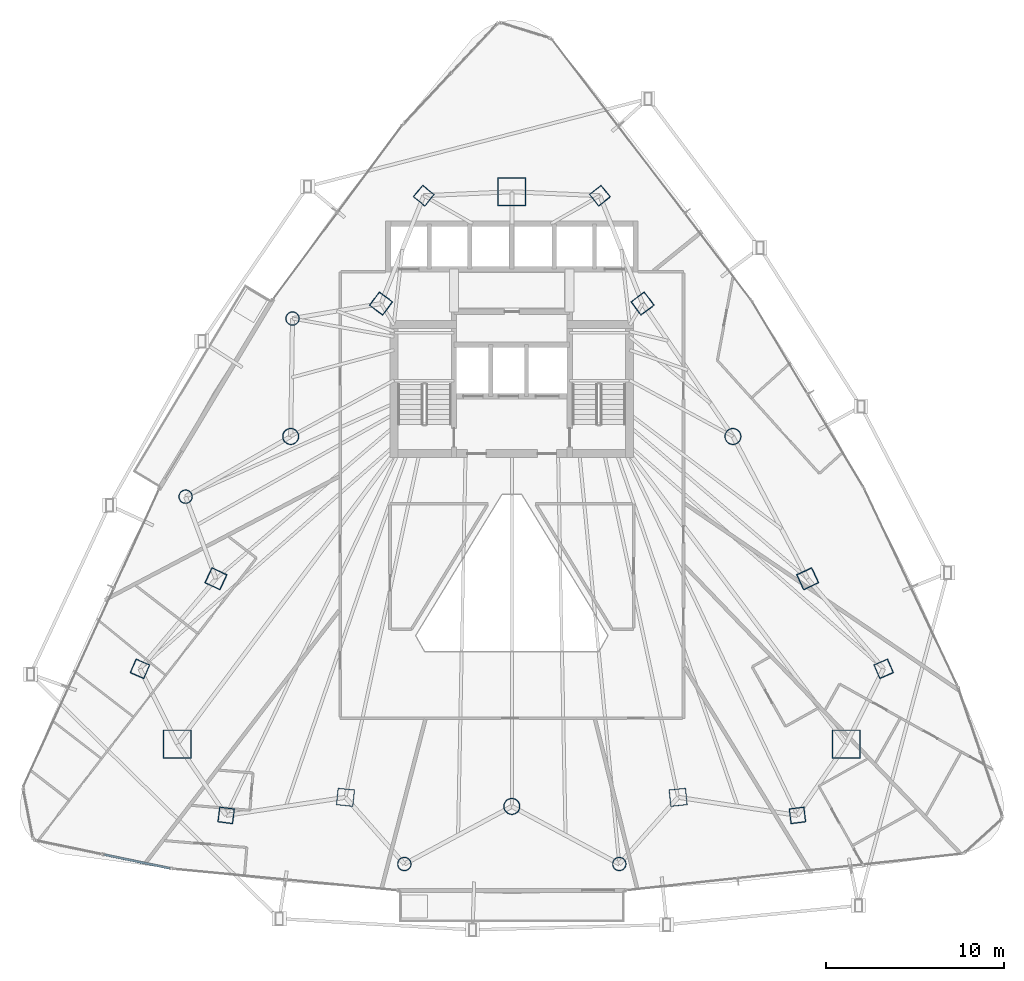
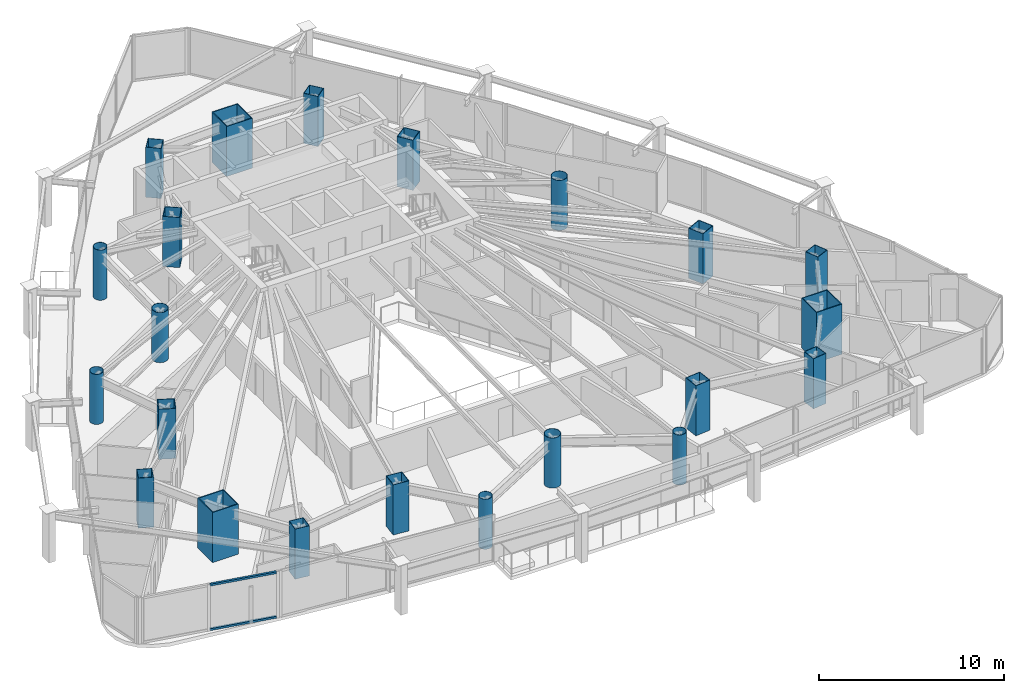
# One storey, part 1 of 34: 22 columns, 2 members, 1 element without a shape of its own.
"""IFC4 building model written with IfcOpenShell, lengths in metres."""

from ifc_helpers import new_model, si_unit, direction, frame, origin, origin_2d, place, context, subcontext, project, spatial, hollow_rectangle, hollow_circle, extrude, material, layer, layer_set, material_profile, profile_set, type_object, element, aggregate, save


model = new_model("IFC4")

# Units and contexts
model_context = context("Model", 3, precision=1e-05, world=origin(), true_north=direction((0.0, 1.0)))
body_context = subcontext(model_context, "Body", "Model", "MODEL_VIEW")
ifc_project = project(units=[si_unit("LENGTHUNIT", "METRE"), si_unit("AREAUNIT", "SQUARE_METRE"), si_unit("VOLUMEUNIT", "CUBIC_METRE"), si_unit("PLANEANGLEUNIT", "RADIAN"), si_unit("MASSUNIT", "GRAM", prefix="KILO")], contexts=[model_context])

# Site, building, storey
site_placement = place(None, origin())
site = spatial("IfcSite", under=ifc_project, at=site_placement, CompositionType="ELEMENT")
building_placement = place(site_placement, origin())
building = spatial("IfcBuilding", under=site, at=building_placement, Name="Orvanel Arch Residences", CompositionType="ELEMENT")
storey_placement = place(building_placement, frame((0.0, 0.0, 80.75)))
storey = spatial("IfcBuildingStorey", under=building, at=storey_placement, Name="L22", CompositionType="ELEMENT", Elevation=80.75)

# Columns
ifc_material_1 = material(Name="Structural steel AS/NZS 1163 C450L0 (Grade 450)", Category="steel")
ifc_material_profile_1 = material_profile(ifc_material_1, hollow_circle(Radius=0.381103515625, WallThickness=0.02197265625, at=origin_2d()), Name="CHS762x22")
ifc_profile_set_1 = profile_set([ifc_material_profile_1], Name="Structural steel AS/NZS 1163 C450L0 (Grade 450)")
column_type_1 = type_object("IfcColumnType", Name="CC-762", PredefinedType="COLUMN", material=ifc_profile_set_1)
for number, where, z_axis, x_axis, name in (
    (1, (20.669921875, 34.27099609375, 0.0), (0.0, 0.0, 1.0), (1.0, 0.0, 0.0), "L22 Low-Rise Buttress Tube Column 01"),
    (2, (14.662109375, 24.256103515625, 0.0), (0.0, 0.0, 1.0), (1.0, 0.0, 0.0), "L22 Low-Rise Buttress Tube Column 02"),
    (3, (26.9580078125, 3.60498046875, 0.0), (0.0, 0.0, 1.0), (1.0, 0.0, 0.0), "L22 Low-Rise Buttress Tube Column 03"),
    (4, (39.0419921875, 3.60498046875, 0.0), (0.0, 0.0, 1.0), (1.0, 0.0, 0.0), "L22 Low-Rise Buttress Tube Column 04"),
):
    element("IfcColumn", number, at=place(storey_placement, frame(where, z_axis=z_axis, x_axis=x_axis)), inside=storey, type_object=column_type_1, Name=name, PredefinedType="COLUMN", context=body_context, shape_type="SweptSolid", body=[
        extrude(hollow_circle(Radius=0.381103515625, WallThickness=0.02197265625, at=origin_2d()), origin(), (0.0, 0.0, 1.0), 3.300048828125),
    ])
ifc_material_profile_2 = material_profile(ifc_material_1, hollow_circle(Radius=0.45703125, WallThickness=0.02490234375, at=origin_2d()), Name="CHS914x25")
ifc_profile_set_2 = profile_set([ifc_material_profile_2], Name="Structural steel AS/NZS 1163 C450L0 (Grade 450)")
column_type_2 = type_object("IfcColumnType", Name="CC-914", PredefinedType="COLUMN", material=ifc_profile_set_2)
for number, where, z_axis, x_axis, name in (
    (5, (20.569091796875, 27.64111328125, 0.0), (0.0, 0.0, 1.0), (1.0, 0.0, 0.0), "L22 High-Rise Tube Column 02"),
    (6, (33.0, 6.843994140625, 0.0), (0.0, 0.0, 1.0), (1.0, 0.0, 0.0), "L22 High-Rise Tube Column 05"),
    (7, (45.430908203125, 27.64111328125, 0.0), (0.0, 0.0, 1.0), (1.0, 0.0, 0.0), "L22 High-Rise Tube Column 08"),
):
    element("IfcColumn", number, at=place(storey_placement, frame(where, z_axis=z_axis, x_axis=x_axis)), inside=storey, type_object=column_type_2, Name=name, PredefinedType="COLUMN", context=body_context, shape_type="SweptSolid", body=[
        extrude(hollow_circle(Radius=0.45703125, WallThickness=0.02490234375, at=origin_2d()), origin(), (0.0, 0.0, 1.0), 3.300048828125),
    ])
ifc_material_2 = material(Name="Structural steel AS/NZS 3678 Grade 450", Category="steel")
ifc_material_profile_3 = material_profile(ifc_material_2, hollow_rectangle(XDim=1.60009765625, YDim=1.60009765625, WallThickness=0.050048828125, at=origin_2d()), Name="BOX1600x1600x50")
ifc_profile_set_3 = profile_set([ifc_material_profile_3], Name="Structural steel AS/NZS 3678 Grade 450")
column_type_3 = type_object("IfcColumnType", Name="MC-1600", PredefinedType="COLUMN", material=ifc_profile_set_3)
for number, where, z_axis, x_axis, name in (
    (8, (33.0, 41.39794921875, 0.0), (0.0, 0.0, 1.0), (1.0, 0.0, 0.0), "L22 Corner Mega-Column 1"),
    (9, (14.198974609375, 10.35107421875, 0.0), (0.0, 0.0, 1.0), (1.0, 0.0, 0.0), "L22 Corner Mega-Column 2"),
    (10, (51.801025390625, 10.35107421875, 0.0), (0.0, 0.0, 1.0), (1.0, 0.0, 0.0), "L22 Corner Mega-Column 3"),
):
    element("IfcColumn", number, at=place(storey_placement, frame(where, z_axis=z_axis, x_axis=x_axis)), inside=storey, type_object=column_type_3, Name=name, PredefinedType="COLUMN", context=body_context, shape_type="SweptSolid", body=[
        extrude(hollow_rectangle(XDim=1.60009765625, YDim=1.60009765625, WallThickness=0.050048828125, at=origin_2d()), origin(), (0.0, 0.0, 1.0), 3.300048828125),
    ])
ifc_material_3 = material(Name="Structural steel AS/NZS 3678 Grade 350", Category="steel")
ifc_material_profile_4 = material_profile(ifc_material_3, hollow_rectangle(XDim=0.85009765625, YDim=0.85009765625, WallThickness=0.028076171875, at=origin_2d()), Name="BOX850x850x28")
ifc_profile_set_4 = profile_set([ifc_material_profile_4], Name="Structural steel AS/NZS 3678 Grade 350")
column_type_4 = type_object("IfcColumnType", Name="TC-850", PredefinedType="COLUMN", material=ifc_profile_set_4)
for number, where, z_axis, x_axis, name in (
    (11, (28.050048828125, 41.177978515625, 0.0), (0.0, 0.0, 1.0), (0.623879596709, 0.781520472419, 0.0), "L22 Mid-Rise Buttress Tube Column 01"),
    (12, (12.094970703125, 14.580078125, 0.0), (0.0, 0.0, 1.0), (0.397147890635, 0.917754625684, 0.0), "L22 Mid-Rise Buttress Tube Column 02"),
    (13, (16.94091796875, 6.339111328125, 0.0), (0.0, 0.0, 1.0), (-0.99189444259, 0.127064608601, 0.0), "L22 Mid-Rise Buttress Tube Column 03"),
    (14, (49.05908203125, 6.339111328125, 0.0), (0.0, 0.0, 1.0), (0.99189444259, 0.127064608601, 0.0), "L22 Mid-Rise Buttress Tube Column 04"),
    (15, (53.905029296875, 14.580078125, 0.0), (0.0, 0.0, 1.0), (-0.397147890635, 0.917754625684, 0.0), "L22 Mid-Rise Buttress Tube Column 05"),
    (16, (37.949951171875, 41.177978515625, 0.0), (0.0, 0.0, 1.0), (-0.623879596709, 0.781520472419, 0.0), "L22 Mid-Rise Buttress Tube Column 06"),
):
    element("IfcColumn", number, at=place(storey_placement, frame(where, z_axis=z_axis, x_axis=x_axis)), inside=storey, type_object=column_type_4, Name=name, PredefinedType="COLUMN", context=body_context, shape_type="SweptSolid", body=[
        extrude(hollow_rectangle(XDim=0.85009765625, YDim=0.85009765625, WallThickness=0.028076171875, at=origin_2d()), origin(), (0.0, 0.0, 1.0), 3.300048828125),
    ])
ifc_material_profile_5 = material_profile(ifc_material_3, hollow_rectangle(XDim=0.949951171875, YDim=0.949951171875, WallThickness=0.031982421875, at=origin_2d()), Name="BOX950x950x32")
ifc_profile_set_5 = profile_set([ifc_material_profile_5], Name="Structural steel AS/NZS 3678 Grade 350")
column_type_5 = type_object("IfcColumnType", Name="TC-950", PredefinedType="COLUMN", material=ifc_profile_set_5)
for number, where, z_axis, x_axis, name in (
    (17, (25.64794921875, 35.113037109375, 0.0), (0.0, 0.0, 1.0), (0.600420225326, 0.799684658487, 0.0), "L22 High-Rise Tube Column 01"),
    (18, (16.366943359375, 19.64208984375, 0.0), (0.0, 0.0, 1.0), (0.422618261741, 0.906307787037, 0.0), "L22 High-Rise Tube Column 03"),
    (19, (23.64892578125, 7.35498046875, 0.0), (0.0, 0.0, 1.0), (-0.994880708829, 0.101056297183, 0.0), "L22 High-Rise Tube Column 04"),
    (20, (42.35107421875, 7.35498046875, 0.0), (0.0, 0.0, 1.0), (0.994880708829, 0.101056297183, 0.0), "L22 High-Rise Tube Column 06"),
    (21, (49.633056640625, 19.64208984375, 0.0), (0.0, 0.0, 1.0), (-0.422618261741, 0.906307787037, 0.0), "L22 High-Rise Tube Column 07"),
    (22, (40.35205078125, 35.113037109375, 0.0), (0.0, 0.0, 1.0), (-0.600420225326, 0.799684658487, 0.0), "L22 High-Rise Tube Column 09"),
):
    element("IfcColumn", number, at=place(storey_placement, frame(where, z_axis=z_axis, x_axis=x_axis)), inside=storey, type_object=column_type_5, Name=name, PredefinedType="COLUMN", context=body_context, shape_type="SweptSolid", body=[
        extrude(hollow_rectangle(XDim=0.949951171875, YDim=0.949951171875, WallThickness=0.031982421875, at=origin_2d()), origin(), (0.0, 0.0, 1.0), 3.300048828125),
    ])

# Curtain wall, members
ifc_material_4 = material(Name="Bronze-anodised aluminium AA6063-T6", Category="aluminium")
ifc_layer = layer(ifc_material_4, 0.18994140625)
ifc_layer_set = layer_set([ifc_layer], Name="Bronze-anodised aluminium AA6063-T6")
curtain_wall_type = type_object("IfcCurtainWallType", Name="CW5-CRN-SYS", PredefinedType="NOTDEFINED", material=ifc_layer_set)
curtain_wall_placement = place(storey_placement, origin())
curtain_wall = element("IfcCurtainWall", 23, at=curtain_wall_placement, inside=storey, type_object=curtain_wall_type, Name="L22 CW5-CRN-SYS Unitised Curtain Wall", PredefinedType="NOTDEFINED")
ifc_material_profile_6 = material_profile(ifc_material_4, hollow_rectangle(XDim=0.1298828125, YDim=0.1298828125, WallThickness=0.00439453125, at=origin_2d()), Name="ALU130x130x4.5")
ifc_profile_set_6 = profile_set([ifc_material_profile_6], Name="Bronze-anodised aluminium AA6063-T6")
member_type = type_object("IfcMemberType", Name="TRN-130x130", PredefinedType="USERDEFINED", material=ifc_profile_set_6)
member_1_placement = place(storey_placement, frame((10.099365234375, 4.130859375, 0.06494140625), z_axis=(0.979114380147, -0.20331018319, 0.0), x_axis=(0.20331018319, 0.979114380147, 0.0)))
member_1 = element("IfcMember", 24, at=member_1_placement, type_object=member_type, Name="CW-S5 transom 2.1", ObjectType="TRANSOM", PredefinedType="USERDEFINED", context=body_context, shape_type="SweptSolid", body=[
    extrude(hollow_rectangle(XDim=0.1298828125, YDim=0.1298828125, WallThickness=0.00439453125, at=origin_2d()), origin(), (0.0, 0.0, 1.0), 3.769287109375),
])
member_2_placement = place(storey_placement, frame((10.099365234375, 4.130859375, 2.9951171875), z_axis=(0.979114380147, -0.20331018319, 0.0), x_axis=(0.20331018319, 0.979114380147, 0.0)))
member_2 = element("IfcMember", 25, at=member_2_placement, type_object=member_type, Name="CW-S5 transom 2.2", ObjectType="TRANSOM", PredefinedType="USERDEFINED", context=body_context, shape_type="SweptSolid", body=[
    extrude(hollow_rectangle(XDim=0.1298828125, YDim=0.1298828125, WallThickness=0.00439453125, at=origin_2d()), origin(), (0.0, 0.0, 1.0), 3.769287109375),
])
aggregate(curtain_wall, [member_1, member_2])

save(model, "model.ifc")
